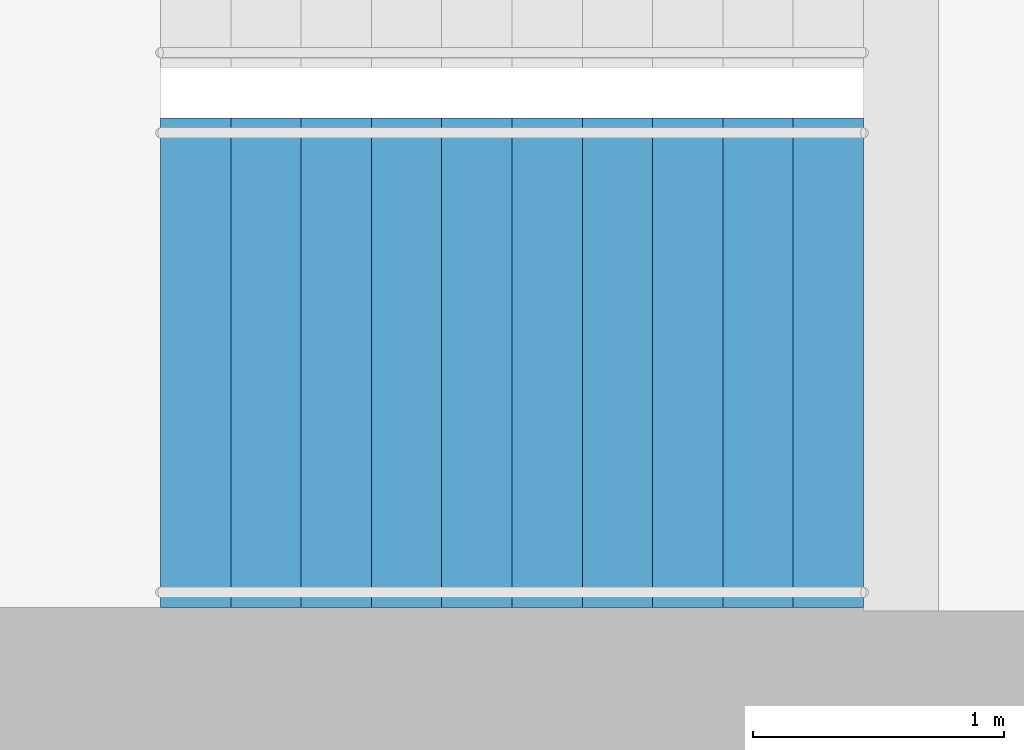
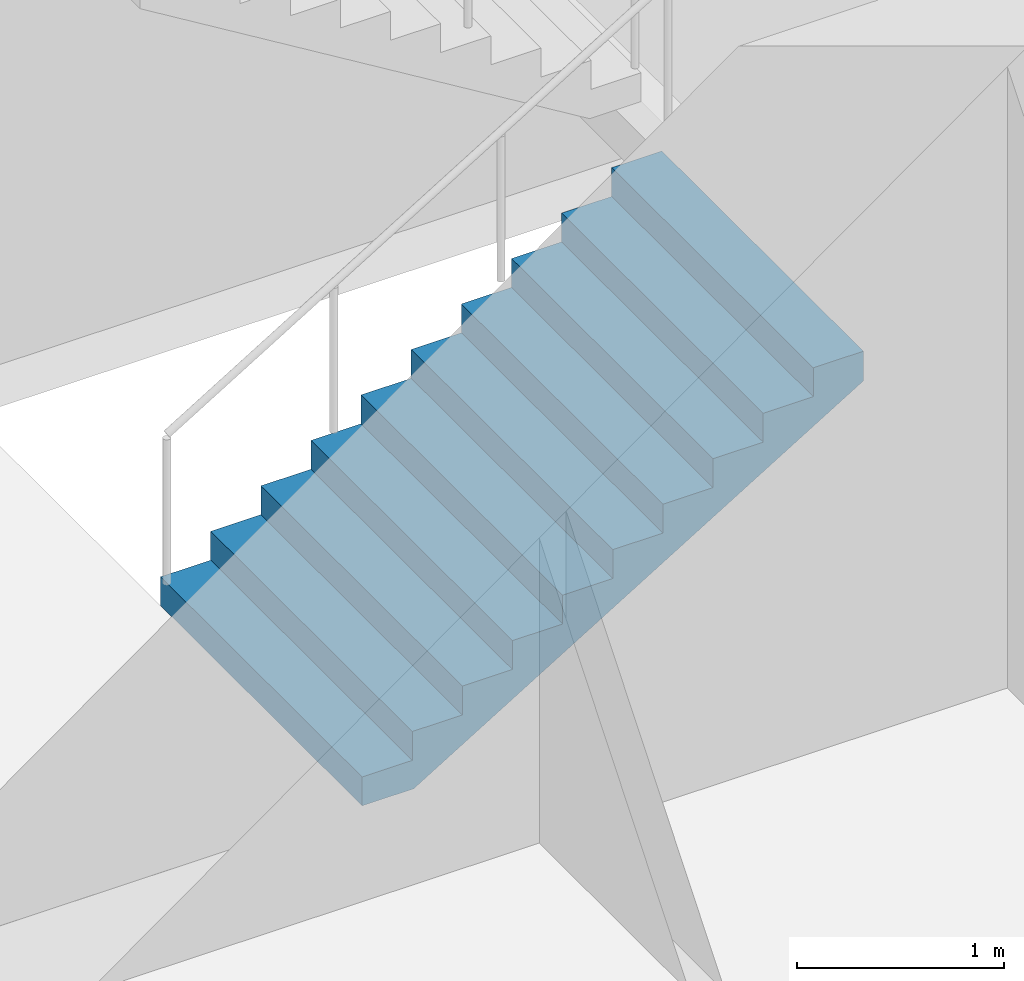
# One storey, part 19 of 23: 1 stair flight, 1 element without a shape of its own.
"""IFC4 building model written with IfcOpenShell, lengths in metres."""

from ifc_helpers import new_model, si_unit, direction, frame, origin, place, context, subcontext, project, spatial, triangles, material, type_object, element, aggregate, save


model = new_model("IFC4")

# Units and contexts
model_context = context("Model", 3, precision=1e-05, world=origin(), true_north=direction((0.0, 1.0)))
body_context = subcontext(model_context, "Body", "Model", "MODEL_VIEW")
ifc_project = project(units=[si_unit("LENGTHUNIT", "METRE"), si_unit("AREAUNIT", "SQUARE_METRE"), si_unit("VOLUMEUNIT", "CUBIC_METRE"), si_unit("PLANEANGLEUNIT", "RADIAN"), si_unit("MASSUNIT", "GRAM", prefix="KILO")], contexts=[model_context])

# Site, building, storey
site_placement = place(None, origin())
site = spatial("IfcSite", under=ifc_project, at=site_placement, CompositionType="ELEMENT")
building_placement = place(site_placement, origin())
building = spatial("IfcBuilding", under=site, at=building_placement, Name="Orbita Commons", CompositionType="ELEMENT")
storey_placement = place(building_placement, frame((0.0, 0.0, 250.300048828125)))
storey = spatial("IfcBuildingStorey", under=building, at=storey_placement, Name="L62", CompositionType="ELEMENT", Elevation=250.300048828125)

# Stair, stair flight
ifc_material_1 = material(Name="Precast concrete C40/50", Category="concrete")
stair_type = type_object("IfcStairType", Name="Exit stair S1 2 flights 11 risers 170", PredefinedType="HALF_TURN_STAIR", material=ifc_material_1)
stair_placement = place(storey_placement, origin())
stair = element("IfcStair", 1, at=stair_placement, inside=storey, type_object=stair_type, Name="Exit stair S1 L62", PredefinedType="HALF_TURN_STAIR")
ifc_material_2 = material(Name="Precast concrete C40/50", Category="concrete")
stair_flight_type = type_object("IfcStairFlightType", Name="Stair flight 11 risers 170 x 280", PredefinedType="STRAIGHT", material=ifc_material_2)
stair_flight_placement = place(storey_placement, frame((20.449951171875, 27.125, 0.0), z_axis=(0.0, 0.0, 1.0), x_axis=(1.0, 0.0, 0.0)))
stair_flight = element("IfcStairFlight", 2, at=stair_flight_placement, type_object=stair_flight_type, Name="S1 flight 1", NumberOfRisers=11, NumberOfTreads=10, PredefinedType="STRAIGHT", RiserHeight=0.170454545, TreadLength=0.28, context=body_context, shape_type="Tessellation", body=[
    triangles([(0.0, 0.974976, 0.0), (0.0, 0.974976, 0.021307), (0.0, 0.81248, 0.021307), (0.0, 0.81248, 0.0), (0.0, 0.649984, 0.021307), (0.0, 0.649984, 0.0), (0.0, 0.487488, 0.021307), (0.0, 0.487488, 0.0), (0.0, 0.324992, 0.021307), (0.0, 0.324992, 0.0), (0.0, 0.162496, 0.021307), (0.0, 0.162496, 0.0), (0.0, 0.0, 0.021307), (0.0, 0.0, 0.0), (0.0, -0.162496, 0.021307), (0.0, -0.162496, 0.0), (0.0, -0.324992, 0.021307), (0.0, -0.324992, 0.0), (0.0, -0.487488, 0.021307), (0.0, -0.487488, 0.0), (0.0, -0.649984, 0.021307), (0.0, -0.649984, 0.0), (0.0, -0.81248, 0.021307), (0.0, -0.81248, 0.0), (0.0, -0.974976, 0.021307), (0.0, -0.974976, 0.0), (0.0, 0.974976, 0.042614), (0.0, 0.81248, 0.042614), (0.0, 0.649984, 0.042614), (0.0, 0.487488, 0.042614), (0.0, 0.324992, 0.042614), (0.0, 0.162496, 0.042614), (0.0, 0.0, 0.042614), (0.0, -0.162496, 0.042614), (0.0, -0.324992, 0.042614), (0.0, -0.487488, 0.042614), (0.0, -0.649984, 0.042614), (0.0, -0.81248, 0.042614), (0.0, -0.974976, 0.042614), (0.0, 0.974976, 0.06392), (0.0, 0.81248, 0.06392), (0.0, 0.649984, 0.06392), (0.0, 0.487488, 0.06392), (0.0, 0.324992, 0.06392), (0.0, 0.162496, 0.06392), (0.0, 0.0, 0.06392), (0.0, -0.162496, 0.06392), (0.0, -0.324992, 0.06392), (0.0, -0.487488, 0.06392), (0.0, -0.649984, 0.06392), (0.0, -0.81248, 0.06392), (0.0, -0.974976, 0.06392), (0.0, 0.974976, 0.085227), (0.0, 0.81248, 0.085227), (0.0, 0.649984, 0.085227), (0.0, 0.487488, 0.085227), (0.0, 0.324992, 0.085227), (0.0, 0.162496, 0.085227), (0.0, 0.0, 0.085227), (0.0, -0.162496, 0.085227), (0.0, -0.324992, 0.085227), (0.0, -0.487488, 0.085227), (0.0, -0.649984, 0.085227), (0.0, -0.81248, 0.085227), (0.0, -0.974976, 0.085227), (0.0, 0.974976, 0.106534), (0.0, 0.81248, 0.106534), (0.0, 0.649984, 0.106534), (0.0, 0.487488, 0.106534), (0.0, 0.324992, 0.106534), (0.0, 0.162496, 0.106534), (0.0, 0.0, 0.106534), (0.0, -0.162496, 0.106534), (0.0, -0.324992, 0.106534), (0.0, -0.487488, 0.106534), (0.0, -0.649984, 0.106534), (0.0, -0.81248, 0.106534), (0.0, -0.974976, 0.106534), (0.0, 0.974976, 0.127841), (0.0, 0.81248, 0.127841), (0.0, 0.649984, 0.127841), (0.0, 0.487488, 0.127841), (0.0, 0.324992, 0.127841), (0.0, 0.162496, 0.127841), (0.0, 0.0, 0.127841), (0.0, -0.162496, 0.127841), (0.0, -0.324992, 0.127841), (0.0, -0.487488, 0.127841), (0.0, -0.649984, 0.127841), (0.0, -0.81248, 0.127841), (0.0, -0.974976, 0.127841), (0.0, 0.974976, 0.149148), (0.0, 0.81248, 0.149148), (0.0, 0.649984, 0.149148), (0.0, 0.487488, 0.149148), (0.0, 0.324992, 0.149148), (0.0, 0.162496, 0.149148), (0.0, 0.0, 0.149148), (0.0, -0.162496, 0.149148), (0.0, -0.324992, 0.149148), (0.0, -0.487488, 0.149148), (0.0, -0.649984, 0.149148), (0.0, -0.81248, 0.149148), (0.0, -0.974976, 0.149148), (0.0, 0.974976, 0.170455), (0.0, 0.81248, 0.170455), (0.0, 0.649984, 0.170455), (0.0, 0.487488, 0.170455), (0.0, 0.324992, 0.170455), (0.0, 0.162496, 0.170455), (0.0, 0.0, 0.170455), (0.0, -0.162496, 0.170455), (0.0, -0.324992, 0.170455), (0.0, -0.487488, 0.170455), (0.0, -0.649984, 0.170455), (0.0, -0.81248, 0.170455), (0.0, -0.974976, 0.170455), (0.28, 0.974976, 0.170455), (0.28, 0.81248, 0.170455), (0.28, 0.649984, 0.170455), (0.28, 0.487488, 0.170455), (0.28, 0.324992, 0.170455), (0.28, 0.162496, 0.170455), (0.28, 0.0, 0.170455), (0.28, -0.162496, 0.170455), (0.28, -0.324992, 0.170455), (0.28, -0.487488, 0.170455), (0.28, -0.649984, 0.170455), (0.28, -0.81248, 0.170455), (0.28, -0.974976, 0.170455), (0.28, 0.974976, 0.340909), (0.28, 0.81248, 0.340909), (0.28, 0.649984, 0.340909), (0.28, 0.487488, 0.340909), (0.28, 0.324992, 0.340909), (0.28, 0.162496, 0.340909), (0.28, 0.0, 0.340909), (0.28, -0.162496, 0.340909), (0.28, -0.324992, 0.340909), (0.28, -0.487488, 0.340909), (0.28, -0.649984, 0.340909), (0.28, -0.81248, 0.340909), (0.28, -0.974976, 0.340909), (0.56, 0.974976, 0.340909), (0.56, 0.81248, 0.340909), (0.56, 0.649984, 0.340909), (0.56, 0.487488, 0.340909), (0.56, 0.324992, 0.340909), (0.56, 0.162496, 0.340909), (0.56, 0.0, 0.340909), (0.56, -0.162496, 0.340909), (0.56, -0.324992, 0.340909), (0.56, -0.487488, 0.340909), (0.56, -0.649984, 0.340909), (0.56, -0.81248, 0.340909), (0.56, -0.974976, 0.340909), (0.56, 0.974976, 0.511364), (0.56, 0.81248, 0.511364), (0.56, 0.649984, 0.511364), (0.56, 0.487488, 0.511364), (0.56, 0.324992, 0.511364), (0.56, 0.162496, 0.511364), (0.56, 0.0, 0.511364), (0.56, -0.162496, 0.511364), (0.56, -0.324992, 0.511364), (0.56, -0.487488, 0.511364), (0.56, -0.649984, 0.511364), (0.56, -0.81248, 0.511364), (0.56, -0.974976, 0.511364), (0.84, 0.974976, 0.511364), (0.84, 0.81248, 0.511364), (0.84, 0.649984, 0.511364), (0.84, 0.487488, 0.511364), (0.84, 0.324992, 0.511364), (0.84, 0.162496, 0.511364), (0.84, 0.0, 0.511364), (0.84, -0.162496, 0.511364), (0.84, -0.324992, 0.511364), (0.84, -0.487488, 0.511364), (0.84, -0.649984, 0.511364), (0.84, -0.81248, 0.511364), (0.84, -0.974976, 0.511364), (0.84, 0.974976, 0.681818), (0.84, 0.81248, 0.681818), (0.84, 0.649984, 0.681818), (0.84, 0.487488, 0.681818), (0.84, 0.324992, 0.681818), (0.84, 0.162496, 0.681818), (0.84, 0.0, 0.681818), (0.84, -0.162496, 0.681818), (0.84, -0.324992, 0.681818), (0.84, -0.487488, 0.681818), (0.84, -0.649984, 0.681818), (0.84, -0.81248, 0.681818), (0.84, -0.974976, 0.681818), (1.12, 0.974976, 0.681818), (1.12, 0.81248, 0.681818), (1.12, 0.649984, 0.681818), (1.12, 0.487488, 0.681818), (1.12, 0.324992, 0.681818), (1.12, 0.162496, 0.681818), (1.12, 0.0, 0.681818), (1.12, -0.162496, 0.681818), (1.12, -0.324992, 0.681818), (1.12, -0.487488, 0.681818), (1.12, -0.649984, 0.681818), (1.12, -0.81248, 0.681818), (1.12, -0.974976, 0.681818), (1.12, 0.974976, 0.852273), (1.12, 0.81248, 0.852273), (1.12, 0.649984, 0.852273), (1.12, 0.487488, 0.852273), (1.12, 0.324992, 0.852273), (1.12, 0.162496, 0.852273), (1.12, 0.0, 0.852273), (1.12, -0.162496, 0.852273), (1.12, -0.324992, 0.852273), (1.12, -0.487488, 0.852273), (1.12, -0.649984, 0.852273), (1.12, -0.81248, 0.852273), (1.12, -0.974976, 0.852273), (1.4, 0.974976, 0.852273), (1.4, 0.81248, 0.852273), (1.4, 0.649984, 0.852273), (1.4, 0.487488, 0.852273), (1.4, 0.324992, 0.852273), (1.4, 0.162496, 0.852273), (1.4, 0.0, 0.852273), (1.4, -0.162496, 0.852273), (1.4, -0.324992, 0.852273), (1.4, -0.487488, 0.852273), (1.4, -0.649984, 0.852273), (1.4, -0.81248, 0.852273), (1.4, -0.974976, 0.852273), (1.4, 0.974976, 1.022727), (1.4, 0.81248, 1.022727), (1.4, 0.649984, 1.022727), (1.4, 0.487488, 1.022727), (1.4, 0.324992, 1.022727), (1.4, 0.162496, 1.022727), (1.4, 0.0, 1.022727), (1.4, -0.162496, 1.022727), (1.4, -0.324992, 1.022727), (1.4, -0.487488, 1.022727), (1.4, -0.649984, 1.022727), (1.4, -0.81248, 1.022727), (1.4, -0.974976, 1.022727), (1.68, 0.974976, 1.022727), (1.68, 0.81248, 1.022727), (1.68, 0.649984, 1.022727), (1.68, 0.487488, 1.022727), (1.68, 0.324992, 1.022727), (1.68, 0.162496, 1.022727), (1.68, 0.0, 1.022727), (1.68, -0.162496, 1.022727), (1.68, -0.324992, 1.022727), (1.68, -0.487488, 1.022727), (1.68, -0.649984, 1.022727), (1.68, -0.81248, 1.022727), (1.68, -0.974976, 1.022727), (1.68, 0.974976, 1.193182), (1.68, 0.81248, 1.193182), (1.68, 0.649984, 1.193182), (1.68, 0.487488, 1.193182), (1.68, 0.324992, 1.193182), (1.68, 0.162496, 1.193182), (1.68, 0.0, 1.193182), (1.68, -0.162496, 1.193182), (1.68, -0.324992, 1.193182), (1.68, -0.487488, 1.193182), (1.68, -0.649984, 1.193182), (1.68, -0.81248, 1.193182), (1.68, -0.974976, 1.193182), (1.96, 0.974976, 1.193182), (1.96, 0.81248, 1.193182), (1.96, 0.649984, 1.193182), (1.96, 0.487488, 1.193182), (1.96, 0.324992, 1.193182), (1.96, 0.162496, 1.193182), (1.96, 0.0, 1.193182), (1.96, -0.162496, 1.193182), (1.96, -0.324992, 1.193182), (1.96, -0.487488, 1.193182), (1.96, -0.649984, 1.193182), (1.96, -0.81248, 1.193182), (1.96, -0.974976, 1.193182), (1.96, 0.974976, 1.363636), (1.96, 0.81248, 1.363636), (1.96, 0.649984, 1.363636), (1.96, 0.487488, 1.363636), (1.96, 0.324992, 1.363636), (1.96, 0.162496, 1.363636), (1.96, 0.0, 1.363636), (1.96, -0.162496, 1.363636), (1.96, -0.324992, 1.363636), (1.96, -0.487488, 1.363636), (1.96, -0.649984, 1.363636), (1.96, -0.81248, 1.363636), (1.96, -0.974976, 1.363636), (2.24, 0.974976, 1.363636), (2.24, 0.81248, 1.363636), (2.24, 0.649984, 1.363636), (2.24, 0.487488, 1.363636), (2.24, 0.324992, 1.363636), (2.24, 0.162496, 1.363636), (2.24, 0.0, 1.363636), (2.24, -0.162496, 1.363636), (2.24, -0.324992, 1.363636), (2.24, -0.487488, 1.363636), (2.24, -0.649984, 1.363636), (2.24, -0.81248, 1.363636), (2.24, -0.974976, 1.363636), (2.24, 0.974976, 1.534091), (2.24, 0.81248, 1.534091), (2.24, 0.649984, 1.534091), (2.24, 0.487488, 1.534091), (2.24, 0.324992, 1.534091), (2.24, 0.162496, 1.534091), (2.24, 0.0, 1.534091), (2.24, -0.162496, 1.534091), (2.24, -0.324992, 1.534091), (2.24, -0.487488, 1.534091), (2.24, -0.649984, 1.534091), (2.24, -0.81248, 1.534091), (2.24, -0.974976, 1.534091), (2.52, 0.974976, 1.534091), (2.52, 0.81248, 1.534091), (2.52, 0.649984, 1.534091), (2.52, 0.487488, 1.534091), (2.52, 0.324992, 1.534091), (2.52, 0.162496, 1.534091), (2.52, 0.0, 1.534091), (2.52, -0.162496, 1.534091), (2.52, -0.324992, 1.534091), (2.52, -0.487488, 1.534091), (2.52, -0.649984, 1.534091), (2.52, -0.81248, 1.534091), (2.52, -0.974976, 1.534091), (2.52, 0.974976, 1.704545), (2.52, 0.81248, 1.704545), (2.52, 0.649984, 1.704545), (2.52, 0.487488, 1.704545), (2.52, 0.324992, 1.704545), (2.52, 0.162496, 1.704545), (2.52, 0.0, 1.704545), (2.52, -0.162496, 1.704545), (2.52, -0.324992, 1.704545), (2.52, -0.487488, 1.704545), (2.52, -0.649984, 1.704545), (2.52, -0.81248, 1.704545), (2.52, -0.974976, 1.704545), (2.8, 0.974976, 1.704545), (2.8, 0.81248, 1.704545), (2.8, 0.649984, 1.704545), (2.8, 0.487488, 1.704545), (2.8, 0.324992, 1.704545), (2.8, 0.162496, 1.704545), (2.8, 0.0, 1.704545), (2.8, -0.162496, 1.704545), (2.8, -0.324992, 1.704545), (2.8, -0.487488, 1.704545), (2.8, -0.649984, 1.704545), (2.8, -0.81248, 1.704545), (2.8, -0.974976, 1.704545), (2.8, 0.974976, 1.682609), (2.8, 0.81248, 1.682609), (2.8, 0.649984, 1.682609), (2.8, 0.487488, 1.682609), (2.8, 0.324992, 1.682609), (2.8, 0.162496, 1.682609), (2.8, 0.0, 1.682609), (2.8, -0.162496, 1.682609), (2.8, -0.324992, 1.682609), (2.8, -0.487488, 1.682609), (2.8, -0.649984, 1.682609), (2.8, -0.81248, 1.682609), (2.8, -0.974976, 1.682609), (2.8, 0.974976, 1.660672), (2.8, 0.81248, 1.660672), (2.8, 0.649984, 1.660672), (2.8, 0.487488, 1.660672), (2.8, 0.324992, 1.660672), (2.8, 0.162496, 1.660672), (2.8, 0.0, 1.660672), (2.8, -0.162496, 1.660672), (2.8, -0.324992, 1.660672), (2.8, -0.487488, 1.660672), (2.8, -0.649984, 1.660672), (2.8, -0.81248, 1.660672), (2.8, -0.974976, 1.660672), (2.8, 0.974976, 1.638735), (2.8, 0.81248, 1.638735), (2.8, 0.649984, 1.638735), (2.8, 0.487488, 1.638735), (2.8, 0.324992, 1.638735), (2.8, 0.162496, 1.638735), (2.8, 0.0, 1.638735), (2.8, -0.162496, 1.638735), (2.8, -0.324992, 1.638735), (2.8, -0.487488, 1.638735), (2.8, -0.649984, 1.638735), (2.8, -0.81248, 1.638735), (2.8, -0.974976, 1.638735), (2.8, 0.974976, 1.616798), (2.8, 0.81248, 1.616798), (2.8, 0.649984, 1.616798), (2.8, 0.487488, 1.616798), (2.8, 0.324992, 1.616798), (2.8, 0.162496, 1.616798), (2.8, 0.0, 1.616798), (2.8, -0.162496, 1.616798), (2.8, -0.324992, 1.616798), (2.8, -0.487488, 1.616798), (2.8, -0.649984, 1.616798), (2.8, -0.81248, 1.616798), (2.8, -0.974976, 1.616798), (2.8, 0.974976, 1.594861), (2.8, 0.81248, 1.594861), (2.8, 0.649984, 1.594861), (2.8, 0.487488, 1.594861), (2.8, 0.324992, 1.594861), (2.8, 0.162496, 1.594861), (2.8, 0.0, 1.594861), (2.8, -0.162496, 1.594861), (2.8, -0.324992, 1.594861), (2.8, -0.487488, 1.594861), (2.8, -0.649984, 1.594861), (2.8, -0.81248, 1.594861), (2.8, -0.974976, 1.594861), (2.8, 0.974976, 1.572925), (2.8, 0.81248, 1.572925), (2.8, 0.649984, 1.572925), (2.8, 0.487488, 1.572925), (2.8, 0.324992, 1.572925), (2.8, 0.162496, 1.572925), (2.8, 0.0, 1.572925), (2.8, -0.162496, 1.572925), (2.8, -0.324992, 1.572925), (2.8, -0.487488, 1.572925), (2.8, -0.649984, 1.572925), (2.8, -0.81248, 1.572925), (2.8, -0.974976, 1.572925), (2.8, 0.974976, 1.550988), (2.8, 0.81248, 1.550988), (2.8, 0.649984, 1.550988), (2.8, 0.487488, 1.550988), (2.8, 0.324992, 1.550988), (2.8, 0.162496, 1.550988), (2.8, 0.0, 1.550988), (2.8, -0.162496, 1.550988), (2.8, -0.324992, 1.550988), (2.8, -0.487488, 1.550988), (2.8, -0.649984, 1.550988), (2.8, -0.81248, 1.550988), (2.8, -0.974976, 1.550988), (2.8, 0.974976, 1.529051), (2.8, 0.81248, 1.529051), (2.8, 0.649984, 1.529051), (2.8, 0.487488, 1.529051), (2.8, 0.324992, 1.529051), (2.8, 0.162496, 1.529051), (2.8, 0.0, 1.529051), (2.8, -0.162496, 1.529051), (2.8, -0.324992, 1.529051), (2.8, -0.487488, 1.529051), (2.8, -0.649984, 1.529051), (2.8, -0.81248, 1.529051), (2.8, -0.974976, 1.529051), (0.288279, 0.974976, 0.0), (0.288279, 0.81248, 0.0), (0.288279, 0.649984, 0.0), (0.288279, 0.487488, 0.0), (0.288279, 0.324992, 0.0), (0.288279, 0.162496, 0.0), (0.288279, 0.0, 0.0), (0.288279, -0.162496, 0.0), (0.288279, -0.324992, 0.0), (0.288279, -0.487488, 0.0), (0.288279, -0.649984, 0.0), (0.288279, -0.81248, 0.0), (0.288279, -0.974976, 0.0)], [[3, 2, 1], [4, 3, 1], [5, 3, 4], [6, 5, 4], [7, 5, 6], [8, 7, 6], [9, 7, 8], [10, 9, 8], [11, 9, 10], [12, 11, 10], [13, 11, 12], [14, 13, 12], [15, 13, 14], [16, 15, 14], [17, 15, 16], [18, 17, 16], [19, 17, 18], [20, 19, 18], [21, 19, 20], [22, 21, 20], [23, 21, 22], [24, 23, 22], [25, 23, 24], [26, 25, 24], [28, 27, 2], [3, 28, 2], [29, 28, 3], [5, 29, 3], [30, 29, 5], [7, 30, 5], [31, 30, 7], [9, 31, 7], [32, 31, 9], [11, 32, 9], [33, 32, 11], [13, 33, 11], [34, 33, 13], [15, 34, 13], [35, 34, 15], [17, 35, 15], [36, 35, 17], [19, 36, 17], [37, 36, 19], [21, 37, 19], [38, 37, 21], [23, 38, 21], [39, 38, 23], [25, 39, 23], [41, 40, 27], [28, 41, 27], [42, 41, 28], [29, 42, 28], [43, 42, 29], [30, 43, 29], [44, 43, 30], [31, 44, 30], [45, 44, 31], [32, 45, 31], [46, 45, 32], [33, 46, 32], [47, 46, 33], [34, 47, 33], [48, 47, 34], [35, 48, 34], [49, 48, 35], [36, 49, 35], [50, 49, 36], [37, 50, 36], [51, 50, 37], [38, 51, 37], [52, 51, 38], [39, 52, 38], [54, 53, 40], [41, 54, 40], [55, 54, 41], [42, 55, 41], [56, 55, 42], [43, 56, 42], [57, 56, 43], [44, 57, 43], [58, 57, 44], [45, 58, 44], [59, 58, 45], [46, 59, 45], [60, 59, 46], [47, 60, 46], [61, 60, 47], [48, 61, 47], [62, 61, 48], [49, 62, 48], [63, 62, 49], [50, 63, 49], [64, 63, 50], [51, 64, 50], [65, 64, 51], [52, 65, 51], [67, 66, 53], [54, 67, 53], [68, 67, 54], [55, 68, 54], [69, 68, 55], [56, 69, 55], [70, 69, 56], [57, 70, 56], [71, 70, 57], [58, 71, 57], [72, 71, 58], [59, 72, 58], [73, 72, 59], [60, 73, 59], [74, 73, 60], [61, 74, 60], [75, 74, 61], [62, 75, 61], [76, 75, 62], [63, 76, 62], [77, 76, 63], [64, 77, 63], [78, 77, 64], [65, 78, 64], [80, 79, 66], [67, 80, 66], [81, 80, 67], [68, 81, 67], [82, 81, 68], [69, 82, 68], [83, 82, 69], [70, 83, 69], [84, 83, 70], [71, 84, 70], [85, 84, 71], [72, 85, 71], [86, 85, 72], [73, 86, 72], [87, 86, 73], [74, 87, 73], [88, 87, 74], [75, 88, 74], [89, 88, 75], [76, 89, 75], [90, 89, 76], [77, 90, 76], [91, 90, 77], [78, 91, 77], [93, 92, 79], [80, 93, 79], [94, 93, 80], [81, 94, 80], [95, 94, 81], [82, 95, 81], [96, 95, 82], [83, 96, 82], [97, 96, 83], [84, 97, 83], [98, 97, 84], [85, 98, 84], [99, 98, 85], [86, 99, 85], [100, 99, 86], [87, 100, 86], [101, 100, 87], [88, 101, 87], [102, 101, 88], [89, 102, 88], [103, 102, 89], [90, 103, 89], [104, 103, 90], [91, 104, 90], [106, 105, 92], [93, 106, 92], [107, 106, 93], [94, 107, 93], [108, 107, 94], [95, 108, 94], [109, 108, 95], [96, 109, 95], [110, 109, 96], [97, 110, 96], [111, 110, 97], [98, 111, 97], [112, 111, 98], [99, 112, 98], [113, 112, 99], [100, 113, 99], [114, 113, 100], [101, 114, 100], [115, 114, 101], [102, 115, 101], [116, 115, 102], [103, 116, 102], [117, 116, 103], [104, 117, 103], [119, 118, 105], [106, 119, 105], [120, 119, 106], [107, 120, 106], [121, 120, 107], [108, 121, 107], [122, 121, 108], [109, 122, 108], [123, 122, 109], [110, 123, 109], [124, 123, 110], [111, 124, 110], [125, 124, 111], [112, 125, 111], [126, 125, 112], [113, 126, 112], [127, 126, 113], [114, 127, 113], [128, 127, 114], [115, 128, 114], [129, 128, 115], [116, 129, 115], [130, 129, 116], [117, 130, 116], [132, 131, 118], [119, 132, 118], [133, 132, 119], [120, 133, 119], [134, 133, 120], [121, 134, 120], [135, 134, 121], [122, 135, 121], [136, 135, 122], [123, 136, 122], [137, 136, 123], [124, 137, 123], [138, 137, 124], [125, 138, 124], [139, 138, 125], [126, 139, 125], [140, 139, 126], [127, 140, 126], [141, 140, 127], [128, 141, 127], [142, 141, 128], [129, 142, 128], [143, 142, 129], [130, 143, 129], [145, 144, 131], [132, 145, 131], [146, 145, 132], [133, 146, 132], [147, 146, 133], [134, 147, 133], [148, 147, 134], [135, 148, 134], [149, 148, 135], [136, 149, 135], [150, 149, 136], [137, 150, 136], [151, 150, 137], [138, 151, 137], [152, 151, 138], [139, 152, 138], [153, 152, 139], [140, 153, 139], [154, 153, 140], [141, 154, 140], [155, 154, 141], [142, 155, 141], [156, 155, 142], [143, 156, 142], [158, 157, 144], [145, 158, 144], [159, 158, 145], [146, 159, 145], [160, 159, 146], [147, 160, 146], [161, 160, 147], [148, 161, 147], [162, 161, 148], [149, 162, 148], [163, 162, 149], [150, 163, 149], [164, 163, 150], [151, 164, 150], [165, 164, 151], [152, 165, 151], [166, 165, 152], [153, 166, 152], [167, 166, 153], [154, 167, 153], [168, 167, 154], [155, 168, 154], [169, 168, 155], [156, 169, 155], [171, 170, 157], [158, 171, 157], [172, 171, 158], [159, 172, 158], [173, 172, 159], [160, 173, 159], [174, 173, 160], [161, 174, 160], [175, 174, 161], [162, 175, 161], [176, 175, 162], [163, 176, 162], [177, 176, 163], [164, 177, 163], [178, 177, 164], [165, 178, 164], [179, 178, 165], [166, 179, 165], [180, 179, 166], [167, 180, 166], [181, 180, 167], [168, 181, 167], [182, 181, 168], [169, 182, 168], [184, 183, 170], [171, 184, 170], [185, 184, 171], [172, 185, 171], [186, 185, 172], [173, 186, 172], [187, 186, 173], [174, 187, 173], [188, 187, 174], [175, 188, 174], [189, 188, 175], [176, 189, 175], [190, 189, 176], [177, 190, 176], [191, 190, 177], [178, 191, 177], [192, 191, 178], [179, 192, 178], [193, 192, 179], [180, 193, 179], [194, 193, 180], [181, 194, 180], [195, 194, 181], [182, 195, 181], [197, 196, 183], [184, 197, 183], [198, 197, 184], [185, 198, 184], [199, 198, 185], [186, 199, 185], [200, 199, 186], [187, 200, 186], [201, 200, 187], [188, 201, 187], [202, 201, 188], [189, 202, 188], [203, 202, 189], [190, 203, 189], [204, 203, 190], [191, 204, 190], [205, 204, 191], [192, 205, 191], [206, 205, 192], [193, 206, 192], [207, 206, 193], [194, 207, 193], [208, 207, 194], [195, 208, 194], [210, 209, 196], [197, 210, 196], [211, 210, 197], [198, 211, 197], [212, 211, 198], [199, 212, 198], [213, 212, 199], [200, 213, 199], [214, 213, 200], [201, 214, 200], [215, 214, 201], [202, 215, 201], [216, 215, 202], [203, 216, 202], [217, 216, 203], [204, 217, 203], [218, 217, 204], [205, 218, 204], [219, 218, 205], [206, 219, 205], [220, 219, 206], [207, 220, 206], [221, 220, 207], [208, 221, 207], [223, 222, 209], [210, 223, 209], [224, 223, 210], [211, 224, 210], [225, 224, 211], [212, 225, 211], [226, 225, 212], [213, 226, 212], [227, 226, 213], [214, 227, 213], [228, 227, 214], [215, 228, 214], [229, 228, 215], [216, 229, 215], [230, 229, 216], [217, 230, 216], [231, 230, 217], [218, 231, 217], [232, 231, 218], [219, 232, 218], [233, 232, 219], [220, 233, 219], [234, 233, 220], [221, 234, 220], [236, 235, 222], [223, 236, 222], [237, 236, 223], [224, 237, 223], [238, 237, 224], [225, 238, 224], [239, 238, 225], [226, 239, 225], [240, 239, 226], [227, 240, 226], [241, 240, 227], [228, 241, 227], [242, 241, 228], [229, 242, 228], [243, 242, 229], [230, 243, 229], [244, 243, 230], [231, 244, 230], [245, 244, 231], [232, 245, 231], [246, 245, 232], [233, 246, 232], [247, 246, 233], [234, 247, 233], [249, 248, 235], [236, 249, 235], [250, 249, 236], [237, 250, 236], [251, 250, 237], [238, 251, 237], [252, 251, 238], [239, 252, 238], [253, 252, 239], [240, 253, 239], [254, 253, 240], [241, 254, 240], [255, 254, 241], [242, 255, 241], [256, 255, 242], [243, 256, 242], [257, 256, 243], [244, 257, 243], [258, 257, 244], [245, 258, 244], [259, 258, 245], [246, 259, 245], [260, 259, 246], [247, 260, 246], [262, 261, 248], [249, 262, 248], [263, 262, 249], [250, 263, 249], [264, 263, 250], [251, 264, 250], [265, 264, 251], [252, 265, 251], [266, 265, 252], [253, 266, 252], [267, 266, 253], [254, 267, 253], [268, 267, 254], [255, 268, 254], [269, 268, 255], [256, 269, 255], [270, 269, 256], [257, 270, 256], [271, 270, 257], [258, 271, 257], [272, 271, 258], [259, 272, 258], [273, 272, 259], [260, 273, 259], [275, 274, 261], [262, 275, 261], [276, 275, 262], [263, 276, 262], [277, 276, 263], [264, 277, 263], [278, 277, 264], [265, 278, 264], [279, 278, 265], [266, 279, 265], [280, 279, 266], [267, 280, 266], [281, 280, 267], [268, 281, 267], [282, 281, 268], [269, 282, 268], [283, 282, 269], [270, 283, 269], [284, 283, 270], [271, 284, 270], [285, 284, 271], [272, 285, 271], [286, 285, 272], [273, 286, 272], [288, 287, 274], [275, 288, 274], [289, 288, 275], [276, 289, 275], [290, 289, 276], [277, 290, 276], [291, 290, 277], [278, 291, 277], [292, 291, 278], [279, 292, 278], [293, 292, 279], [280, 293, 279], [294, 293, 280], [281, 294, 280], [295, 294, 281], [282, 295, 281], [296, 295, 282], [283, 296, 282], [297, 296, 283], [284, 297, 283], [298, 297, 284], [285, 298, 284], [299, 298, 285], [286, 299, 285], [301, 300, 287], [288, 301, 287], [302, 301, 288], [289, 302, 288], [303, 302, 289], [290, 303, 289], [304, 303, 290], [291, 304, 290], [305, 304, 291], [292, 305, 291], [306, 305, 292], [293, 306, 292], [307, 306, 293], [294, 307, 293], [308, 307, 294], [295, 308, 294], [309, 308, 295], [296, 309, 295], [310, 309, 296], [297, 310, 296], [311, 310, 297], [298, 311, 297], [312, 311, 298], [299, 312, 298], [314, 313, 300], [301, 314, 300], [315, 314, 301], [302, 315, 301], [316, 315, 302], [303, 316, 302], [317, 316, 303], [304, 317, 303], [318, 317, 304], [305, 318, 304], [319, 318, 305], [306, 319, 305], [320, 319, 306], [307, 320, 306], [321, 320, 307], [308, 321, 307], [322, 321, 308], [309, 322, 308], [323, 322, 309], [310, 323, 309], [324, 323, 310], [311, 324, 310], [325, 324, 311], [312, 325, 311], [327, 326, 313], [314, 327, 313], [328, 327, 314], [315, 328, 314], [329, 328, 315], [316, 329, 315], [330, 329, 316], [317, 330, 316], [331, 330, 317], [318, 331, 317], [332, 331, 318], [319, 332, 318], [333, 332, 319], [320, 333, 319], [334, 333, 320], [321, 334, 320], [335, 334, 321], [322, 335, 321], [336, 335, 322], [323, 336, 322], [337, 336, 323], [324, 337, 323], [338, 337, 324], [325, 338, 324], [340, 339, 326], [327, 340, 326], [341, 340, 327], [328, 341, 327], [342, 341, 328], [329, 342, 328], [343, 342, 329], [330, 343, 329], [344, 343, 330], [331, 344, 330], [345, 344, 331], [332, 345, 331], [346, 345, 332], [333, 346, 332], [347, 346, 333], [334, 347, 333], [348, 347, 334], [335, 348, 334], [349, 348, 335], [336, 349, 335], [350, 349, 336], [337, 350, 336], [351, 350, 337], [338, 351, 337], [353, 352, 339], [340, 353, 339], [354, 353, 340], [341, 354, 340], [355, 354, 341], [342, 355, 341], [356, 355, 342], [343, 356, 342], [357, 356, 343], [344, 357, 343], [358, 357, 344], [345, 358, 344], [359, 358, 345], [346, 359, 345], [360, 359, 346], [347, 360, 346], [361, 360, 347], [348, 361, 347], [362, 361, 348], [349, 362, 348], [363, 362, 349], [350, 363, 349], [364, 363, 350], [351, 364, 350], [366, 365, 352], [353, 366, 352], [367, 366, 353], [354, 367, 353], [368, 367, 354], [355, 368, 354], [369, 368, 355], [356, 369, 355], [370, 369, 356], [357, 370, 356], [371, 370, 357], [358, 371, 357], [372, 371, 358], [359, 372, 358], [373, 372, 359], [360, 373, 359], [374, 373, 360], [361, 374, 360], [375, 374, 361], [362, 375, 361], [376, 375, 362], [363, 376, 362], [377, 376, 363], [364, 377, 363], [379, 378, 365], [366, 379, 365], [380, 379, 366], [367, 380, 366], [381, 380, 367], [368, 381, 367], [382, 381, 368], [369, 382, 368], [383, 382, 369], [370, 383, 369], [384, 383, 370], [371, 384, 370], [385, 384, 371], [372, 385, 371], [386, 385, 372], [373, 386, 372], [387, 386, 373], [374, 387, 373], [388, 387, 374], [375, 388, 374], [389, 388, 375], [376, 389, 375], [390, 389, 376], [377, 390, 376], [392, 391, 378], [379, 392, 378], [393, 392, 379], [380, 393, 379], [394, 393, 380], [381, 394, 380], [395, 394, 381], [382, 395, 381], [396, 395, 382], [383, 396, 382], [397, 396, 383], [384, 397, 383], [398, 397, 384], [385, 398, 384], [399, 398, 385], [386, 399, 385], [400, 399, 386], [387, 400, 386], [401, 400, 387], [388, 401, 387], [402, 401, 388], [389, 402, 388], [403, 402, 389], [390, 403, 389], [405, 404, 391], [392, 405, 391], [406, 405, 392], [393, 406, 392], [407, 406, 393], [394, 407, 393], [408, 407, 394], [395, 408, 394], [409, 408, 395], [396, 409, 395], [410, 409, 396], [397, 410, 396], [411, 410, 397], [398, 411, 397], [412, 411, 398], [399, 412, 398], [413, 412, 399], [400, 413, 399], [414, 413, 400], [401, 414, 400], [415, 414, 401], [402, 415, 401], [416, 415, 402], [403, 416, 402], [418, 417, 404], [405, 418, 404], [419, 418, 405], [406, 419, 405], [420, 419, 406], [407, 420, 406], [421, 420, 407], [408, 421, 407], [422, 421, 408], [409, 422, 408], [423, 422, 409], [410, 423, 409], [424, 423, 410], [411, 424, 410], [425, 424, 411], [412, 425, 411], [426, 425, 412], [413, 426, 412], [427, 426, 413], [414, 427, 413], [428, 427, 414], [415, 428, 414], [429, 428, 415], [416, 429, 415], [431, 430, 417], [418, 431, 417], [432, 431, 418], [419, 432, 418], [433, 432, 419], [420, 433, 419], [434, 433, 420], [421, 434, 420], [435, 434, 421], [422, 435, 421], [436, 435, 422], [423, 436, 422], [437, 436, 423], [424, 437, 423], [438, 437, 424], [425, 438, 424], [439, 438, 425], [426, 439, 425], [440, 439, 426], [427, 440, 426], [441, 440, 427], [428, 441, 427], [442, 441, 428], [429, 442, 428], [444, 443, 430], [431, 444, 430], [445, 444, 431], [432, 445, 431], [446, 445, 432], [433, 446, 432], [447, 446, 433], [434, 447, 433], [448, 447, 434], [435, 448, 434], [449, 448, 435], [436, 449, 435], [450, 449, 436], [437, 450, 436], [451, 450, 437], [438, 451, 437], [452, 451, 438], [439, 452, 438], [453, 452, 439], [440, 453, 439], [454, 453, 440], [441, 454, 440], [455, 454, 441], [442, 455, 441], [457, 456, 443], [444, 457, 443], [458, 457, 444], [445, 458, 444], [459, 458, 445], [446, 459, 445], [460, 459, 446], [447, 460, 446], [461, 460, 447], [448, 461, 447], [462, 461, 448], [449, 462, 448], [463, 462, 449], [450, 463, 449], [464, 463, 450], [451, 464, 450], [465, 464, 451], [452, 465, 451], [466, 465, 452], [453, 466, 452], [467, 466, 453], [454, 467, 453], [468, 467, 454], [455, 468, 454], [470, 469, 456], [457, 470, 456], [471, 470, 457], [458, 471, 457], [472, 471, 458], [459, 472, 458], [473, 472, 459], [460, 473, 459], [474, 473, 460], [461, 474, 460], [475, 474, 461], [462, 475, 461], [476, 475, 462], [463, 476, 462], [477, 476, 463], [464, 477, 463], [478, 477, 464], [465, 478, 464], [479, 478, 465], [466, 479, 465], [480, 479, 466], [467, 480, 466], [481, 480, 467], [468, 481, 467], [4, 1, 469], [470, 4, 469], [6, 4, 470], [471, 6, 470], [8, 6, 471], [472, 8, 471], [10, 8, 472], [473, 10, 472], [12, 10, 473], [474, 12, 473], [14, 12, 474], [475, 14, 474], [16, 14, 475], [476, 16, 475], [18, 16, 476], [477, 18, 476], [20, 18, 477], [478, 20, 477], [22, 20, 478], [479, 22, 478], [24, 22, 479], [480, 24, 479], [26, 24, 480], [481, 26, 480], [456, 469, 1], [26, 481, 468], [443, 456, 1], [26, 468, 455], [430, 443, 1], [26, 455, 442], [417, 430, 1], [26, 442, 429], [404, 417, 1], [26, 429, 416], [391, 404, 1], [26, 416, 403], [378, 391, 1], [26, 403, 390], [365, 378, 1], [26, 390, 377], [339, 352, 365], [377, 364, 351], [326, 339, 365], [377, 351, 338], [300, 313, 326], [338, 325, 312], [300, 326, 365], [377, 338, 312], [274, 287, 300], [312, 299, 286], [274, 300, 365], [377, 312, 286], [248, 261, 274], [286, 273, 260], [248, 274, 365], [377, 286, 260], [222, 235, 248], [260, 247, 234], [222, 248, 365], [377, 260, 234], [196, 209, 222], [234, 221, 208], [196, 222, 365], [377, 234, 208], [170, 183, 196], [208, 195, 182], [170, 196, 365], [377, 208, 182], [144, 157, 170], [182, 169, 156], [144, 170, 365], [377, 182, 156], [118, 131, 144], [156, 143, 130], [118, 144, 365], [377, 156, 130], [118, 365, 1], [26, 377, 130], [92, 105, 118], [130, 117, 104], [79, 92, 118], [130, 104, 91], [66, 79, 118], [130, 91, 78], [53, 66, 118], [130, 78, 65], [40, 53, 118], [130, 65, 52], [27, 40, 118], [130, 52, 39], [2, 27, 118], [130, 39, 25], [1, 2, 118], [130, 25, 26]], closed=True),
])
aggregate(stair, [stair_flight])

save(model, "model.ifc")
